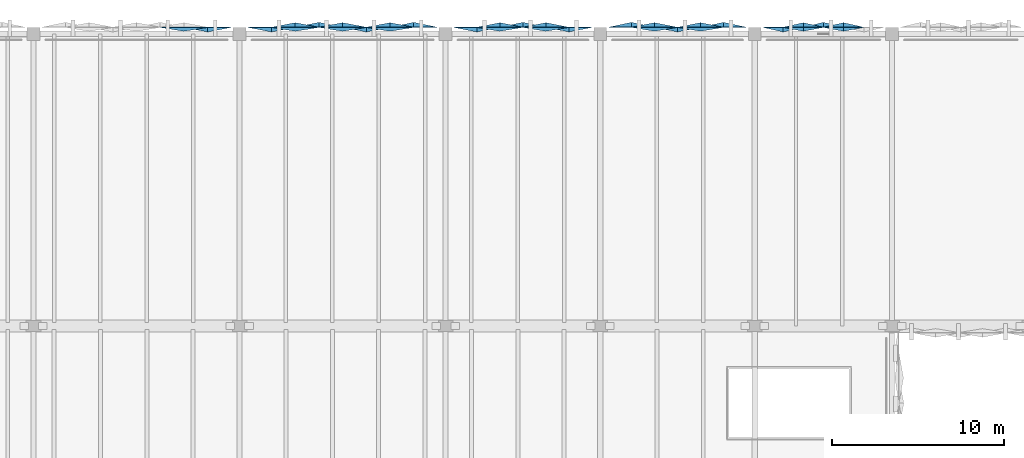
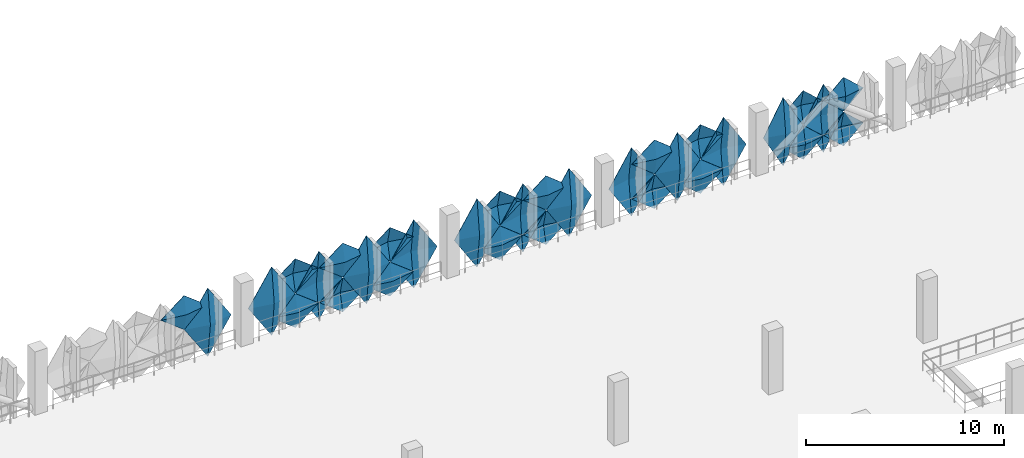
# One storey, part 69 of 83: 32 plates.
"""IFC4 building model written with IfcOpenShell, lengths in metres."""

from ifc_helpers import new_model, si_unit, derived_unit, direction, frame, origin, place, context, subcontext, project, spatial, polygons, material, layer, layer_set, type_object, element, save


model = new_model("IFC4")

# Units and contexts
model_context = context("Model", 3, precision=1e-05, world=origin(), true_north=direction((0.0, 1.0)))
body_context = subcontext(model_context, "Body", "Model", "MODEL_VIEW")
ifc_project = project(units=[si_unit("LENGTHUNIT", "METRE"), si_unit("AREAUNIT", "SQUARE_METRE"), si_unit("VOLUMEUNIT", "CUBIC_METRE"), si_unit("PLANEANGLEUNIT", "RADIAN"), si_unit("MASSUNIT", "GRAM", prefix="KILO"), si_unit("THERMODYNAMICTEMPERATUREUNIT", "KELVIN"), derived_unit("THERMALTRANSMITTANCEUNIT", [(si_unit("POWERUNIT", "WATT"), 1), (si_unit("AREAUNIT", "SQUARE_METRE"), -1), (si_unit("THERMODYNAMICTEMPERATUREUNIT", "KELVIN"), -1)])], contexts=[model_context])

# Site, building, storey
site_placement = place(None, origin())
site = spatial("IfcSite", under=ifc_project, at=site_placement, CompositionType="ELEMENT")
building_placement = place(site_placement, origin())
building = spatial("IfcBuilding", under=site, at=building_placement, Name="Haiyu Intermodal Mobility Hub", CompositionType="ELEMENT")
storey_placement = place(building_placement, frame((0.0, 0.0, 13.39990234375)))
storey = spatial("IfcBuildingStorey", under=building, at=storey_placement, Name="L03", CompositionType="ELEMENT", Elevation=13.39990234375)

# Plates
ifc_material = material(Name="Anodised aluminium 6063-T6", Category="aluminium")
ifc_layer_1 = layer(ifc_material, 0.01806640625)
ifc_layer_set_1 = layer_set([ifc_layer_1], Name="Anodised aluminium 6063-T6")
plate_type_1 = type_object("IfcPlateType", Name="PLT-FC01", PredefinedType="USERDEFINED", material=ifc_layer_set_1)
plate_1_placement = place(storey_placement, origin())
element("IfcPlate", 1, at=plate_1_placement, inside=storey, type_object=plate_type_1, Name="PLT-PYR-0353", ObjectType="FACADE CASSETTE", PredefinedType="USERDEFINED", context=body_context, shape_type="Tessellation", body=[
    polygons([(116.760009765625, 148.39990234375, 1.6201171875), (115.39990234375, 148.39990234375, 2.670166015625), (116.760009765625, 148.39990234375, 3.72021484375), (118.1201171875, 148.39990234375, 2.670166015625), (116.760009765625, 148.659912109375, 2.670166015625), (116.760009765625, 148.3779296875, 1.6201171875), (115.39990234375, 148.3779296875, 2.670166015625), (116.760009765625, 148.3779296875, 3.72021484375), (118.1201171875, 148.3779296875, 2.670166015625), (116.760009765625, 148.637939453125, 2.670166015625)], [[[1, 2, 5]], [[2, 3, 5]], [[3, 4, 5]], [[4, 1, 5]], [[7, 6, 10]], [[8, 7, 10]], [[9, 8, 10]], [[6, 9, 10]], [[1, 6, 7, 2]], [[2, 7, 8, 3]], [[3, 8, 9, 4]], [[4, 9, 6, 1]]], closed=True),
])
plate_2_placement = place(storey_placement, origin())
element("IfcPlate", 2, at=plate_2_placement, inside=storey, type_object=plate_type_1, Name="PLT-PYR-0359", ObjectType="FACADE CASSETTE", PredefinedType="USERDEFINED", context=body_context, shape_type="Tessellation", body=[
    polygons([(111.239990234375, 148.39990234375, 1.6201171875), (109.8798828125, 148.39990234375, 2.670166015625), (111.239990234375, 148.39990234375, 3.72021484375), (112.60009765625, 148.39990234375, 2.670166015625), (111.239990234375, 148.659912109375, 2.670166015625), (111.239990234375, 148.3779296875, 1.6201171875), (109.8798828125, 148.3779296875, 2.670166015625), (111.239990234375, 148.3779296875, 3.72021484375), (112.60009765625, 148.3779296875, 2.670166015625), (111.239990234375, 148.637939453125, 2.670166015625)], [[[1, 2, 5]], [[2, 3, 5]], [[3, 4, 5]], [[4, 1, 5]], [[7, 6, 10]], [[8, 7, 10]], [[9, 8, 10]], [[6, 9, 10]], [[1, 6, 7, 2]], [[2, 7, 8, 3]], [[3, 8, 9, 4]], [[4, 9, 6, 1]]], closed=True),
])
plate_3_placement = place(storey_placement, origin())
element("IfcPlate", 3, at=plate_3_placement, inside=storey, type_object=plate_type_1, Name="PLT-PYR-0398", ObjectType="FACADE CASSETTE", PredefinedType="USERDEFINED", context=body_context, shape_type="Tessellation", body=[
    polygons([(124.5, 148.39990234375, -0.510009765625), (123.179931640625, 148.39990234375, 1.60009765625), (124.5, 148.39990234375, 3.710205078125), (125.820068359375, 148.39990234375, 1.60009765625), (124.5, 148.679931640625, 1.60009765625), (124.5, 148.3779296875, -0.510009765625), (123.179931640625, 148.3779296875, 1.60009765625), (124.5, 148.3779296875, 3.710205078125), (125.820068359375, 148.3779296875, 1.60009765625), (124.5, 148.657958984375, 1.60009765625)], [[[1, 2, 5]], [[2, 3, 5]], [[3, 4, 5]], [[4, 1, 5]], [[7, 6, 10]], [[8, 7, 10]], [[9, 8, 10]], [[6, 9, 10]], [[1, 6, 7, 2]], [[2, 7, 8, 3]], [[3, 8, 9, 4]], [[4, 9, 6, 1]]], closed=True),
])
plate_4_placement = place(storey_placement, origin())
element("IfcPlate", 4, at=plate_4_placement, inside=storey, type_object=plate_type_1, Name="PLT-PYR-0400", ObjectType="FACADE CASSETTE", PredefinedType="USERDEFINED", context=body_context, shape_type="Tessellation", body=[
    polygons([(123.159912109375, 148.39990234375, 1.6201171875), (121.840087890625, 148.39990234375, 2.670166015625), (123.159912109375, 148.39990234375, 3.72021484375), (124.47998046875, 148.39990234375, 2.670166015625), (123.159912109375, 148.659912109375, 2.670166015625), (123.159912109375, 148.3779296875, 1.6201171875), (121.840087890625, 148.3779296875, 2.670166015625), (123.159912109375, 148.3779296875, 3.72021484375), (124.47998046875, 148.3779296875, 2.670166015625), (123.159912109375, 148.637939453125, 2.670166015625)], [[[1, 2, 5]], [[2, 3, 5]], [[3, 4, 5]], [[4, 1, 5]], [[7, 6, 10]], [[8, 7, 10]], [[9, 8, 10]], [[6, 9, 10]], [[1, 6, 7, 2]], [[2, 7, 8, 3]], [[3, 8, 9, 4]], [[4, 9, 6, 1]]], closed=True),
])
plate_5_placement = place(storey_placement, origin())
element("IfcPlate", 5, at=plate_5_placement, inside=storey, type_object=plate_type_1, Name="PLT-PYR-0432", ObjectType="FACADE CASSETTE", PredefinedType="USERDEFINED", context=body_context, shape_type="Tessellation", body=[
    polygons([(134.840087890625, 148.39990234375, 1.6201171875), (133.52001953125, 148.39990234375, 2.670166015625), (134.840087890625, 148.39990234375, 3.72021484375), (136.159912109375, 148.39990234375, 2.670166015625), (134.840087890625, 148.659912109375, 2.670166015625), (134.840087890625, 148.3779296875, 1.6201171875), (133.52001953125, 148.3779296875, 2.670166015625), (134.840087890625, 148.3779296875, 3.72021484375), (136.159912109375, 148.3779296875, 2.670166015625), (134.840087890625, 148.637939453125, 2.670166015625)], [[[1, 2, 5]], [[2, 3, 5]], [[3, 4, 5]], [[4, 1, 5]], [[7, 6, 10]], [[8, 7, 10]], [[9, 8, 10]], [[6, 9, 10]], [[1, 6, 7, 2]], [[2, 7, 8, 3]], [[3, 8, 9, 4]], [[4, 9, 6, 1]]], closed=True),
])
plate_6_placement = place(storey_placement, origin())
element("IfcPlate", 6, at=plate_6_placement, inside=storey, type_object=plate_type_1, Name="PLT-PYR-0468", ObjectType="FACADE CASSETTE", PredefinedType="USERDEFINED", context=body_context, shape_type="Tessellation", body=[
    polygons([(142.0, 148.39990234375, -0.510009765625), (140.846923828125, 148.39990234375, 1.60009765625), (142.0, 148.39990234375, 3.710205078125), (143.153076171875, 148.39990234375, 1.60009765625), (142.0, 148.679931640625, 1.60009765625), (142.0, 148.3779296875, -0.510009765625), (140.846923828125, 148.3779296875, 1.60009765625), (142.0, 148.3779296875, 3.710205078125), (143.153076171875, 148.3779296875, 1.60009765625), (142.0, 148.657958984375, 1.60009765625)], [[[1, 2, 5]], [[2, 3, 5]], [[3, 4, 5]], [[4, 1, 5]], [[7, 6, 10]], [[8, 7, 10]], [[9, 8, 10]], [[6, 9, 10]], [[1, 6, 7, 2]], [[2, 7, 8, 3]], [[3, 8, 9, 4]], [[4, 9, 6, 1]]], closed=True),
])
plate_7_placement = place(storey_placement, origin())
element("IfcPlate", 7, at=plate_7_placement, inside=storey, type_object=plate_type_1, Name="PLT-PYR-0470", ObjectType="FACADE CASSETTE", PredefinedType="USERDEFINED", context=body_context, shape_type="Tessellation", body=[
    polygons([(140.826904296875, 148.39990234375, 1.6201171875), (139.673095703125, 148.39990234375, 2.670166015625), (140.826904296875, 148.39990234375, 3.72021484375), (141.97998046875, 148.39990234375, 2.670166015625), (140.826904296875, 148.659912109375, 2.670166015625), (140.826904296875, 148.3779296875, 1.6201171875), (139.673095703125, 148.3779296875, 2.670166015625), (140.826904296875, 148.3779296875, 3.72021484375), (141.97998046875, 148.3779296875, 2.670166015625), (140.826904296875, 148.637939453125, 2.670166015625)], [[[1, 2, 5]], [[2, 3, 5]], [[3, 4, 5]], [[4, 1, 5]], [[7, 6, 10]], [[8, 7, 10]], [[9, 8, 10]], [[6, 9, 10]], [[1, 6, 7, 2]], [[2, 7, 8, 3]], [[3, 8, 9, 4]], [[4, 9, 6, 1]]], closed=True),
])
ifc_layer_2 = layer(ifc_material, 0.02001953125)
ifc_layer_set_2 = layer_set([ifc_layer_2], Name="Anodised aluminium 6063-T6")
plate_type_2 = type_object("IfcPlateType", Name="PLT-FC02", PredefinedType="USERDEFINED", material=ifc_layer_set_2)
plate_8_placement = place(storey_placement, origin())
element("IfcPlate", 8, at=plate_8_placement, inside=storey, type_object=plate_type_2, Name="PLT-PYR-0303", ObjectType="FACADE CASSETTE", PredefinedType="USERDEFINED", context=body_context, shape_type="Tessellation", body=[
    polygons([(104.760009765625, 148.39990234375, 1.6201171875), (103.39990234375, 148.39990234375, 2.670166015625), (104.760009765625, 148.39990234375, 3.72021484375), (106.1201171875, 148.39990234375, 2.670166015625), (104.760009765625, 148.179931640625, 2.670166015625), (104.760009765625, 148.3779296875, 1.6201171875), (103.39990234375, 148.3779296875, 2.670166015625), (104.760009765625, 148.3779296875, 3.72021484375), (106.1201171875, 148.3779296875, 2.670166015625), (104.760009765625, 148.157958984375, 2.670166015625)], [[[1, 2, 5]], [[2, 3, 5]], [[3, 4, 5]], [[4, 1, 5]], [[7, 6, 10]], [[8, 7, 10]], [[9, 8, 10]], [[6, 9, 10]], [[1, 6, 7, 2]], [[2, 7, 8, 3]], [[3, 8, 9, 4]], [[4, 9, 6, 1]]], closed=True),
])
plate_9_placement = place(storey_placement, origin())
element("IfcPlate", 9, at=plate_9_placement, inside=storey, type_object=plate_type_2, Name="PLT-PYR-0354", ObjectType="FACADE CASSETTE", PredefinedType="USERDEFINED", context=body_context, shape_type="Tessellation", body=[
    polygons([(115.3798828125, 148.39990234375, -0.510009765625), (114.02001953125, 148.39990234375, 1.60009765625), (115.3798828125, 148.39990234375, 3.710205078125), (116.739990234375, 148.39990234375, 1.60009765625), (115.3798828125, 148.139892578125, 1.60009765625), (115.3798828125, 148.3779296875, -0.510009765625), (114.02001953125, 148.3779296875, 1.60009765625), (115.3798828125, 148.3779296875, 3.710205078125), (116.739990234375, 148.3779296875, 1.60009765625), (115.3798828125, 148.117919921875, 1.60009765625)], [[[1, 2, 5]], [[2, 3, 5]], [[3, 4, 5]], [[4, 1, 5]], [[7, 6, 10]], [[8, 7, 10]], [[9, 8, 10]], [[6, 9, 10]], [[1, 6, 7, 2]], [[2, 7, 8, 3]], [[3, 8, 9, 4]], [[4, 9, 6, 1]]], closed=True),
])
plate_10_placement = place(storey_placement, origin())
element("IfcPlate", 10, at=plate_10_placement, inside=storey, type_object=plate_type_2, Name="PLT-PYR-0356", ObjectType="FACADE CASSETTE", PredefinedType="USERDEFINED", context=body_context, shape_type="Tessellation", body=[
    polygons([(114.0, 148.39990234375, 1.6201171875), (112.639892578125, 148.39990234375, 2.670166015625), (114.0, 148.39990234375, 3.72021484375), (115.360107421875, 148.39990234375, 2.670166015625), (114.0, 148.179931640625, 2.670166015625), (114.0, 148.3779296875, 1.6201171875), (112.639892578125, 148.3779296875, 2.670166015625), (114.0, 148.3779296875, 3.72021484375), (115.360107421875, 148.3779296875, 2.670166015625), (114.0, 148.157958984375, 2.670166015625)], [[[1, 2, 5]], [[2, 3, 5]], [[3, 4, 5]], [[4, 1, 5]], [[7, 6, 10]], [[8, 7, 10]], [[9, 8, 10]], [[6, 9, 10]], [[1, 6, 7, 2]], [[2, 7, 8, 3]], [[3, 8, 9, 4]], [[4, 9, 6, 1]]], closed=True),
])
plate_11_placement = place(storey_placement, origin())
element("IfcPlate", 11, at=plate_11_placement, inside=storey, type_object=plate_type_2, Name="PLT-PYR-0397", ObjectType="FACADE CASSETTE", PredefinedType="USERDEFINED", context=body_context, shape_type="Tessellation", body=[
    polygons([(125.840087890625, 148.39990234375, 1.6201171875), (124.52001953125, 148.39990234375, 2.670166015625), (125.840087890625, 148.39990234375, 3.72021484375), (127.159912109375, 148.39990234375, 2.670166015625), (125.840087890625, 148.179931640625, 2.670166015625), (125.840087890625, 148.3779296875, 1.6201171875), (124.52001953125, 148.3779296875, 2.670166015625), (125.840087890625, 148.3779296875, 3.72021484375), (127.159912109375, 148.3779296875, 2.670166015625), (125.840087890625, 148.157958984375, 2.670166015625)], [[[1, 2, 5]], [[2, 3, 5]], [[3, 4, 5]], [[4, 1, 5]], [[7, 6, 10]], [[8, 7, 10]], [[9, 8, 10]], [[6, 9, 10]], [[1, 6, 7, 2]], [[2, 7, 8, 3]], [[3, 8, 9, 4]], [[4, 9, 6, 1]]], closed=True),
])
plate_12_placement = place(storey_placement, origin())
element("IfcPlate", 12, at=plate_12_placement, inside=storey, type_object=plate_type_2, Name="PLT-PYR-0433", ObjectType="FACADE CASSETTE", PredefinedType="USERDEFINED", context=body_context, shape_type="Tessellation", body=[
    polygons([(133.5, 148.39990234375, -0.510009765625), (132.179931640625, 148.39990234375, 1.60009765625), (133.5, 148.39990234375, 3.710205078125), (134.820068359375, 148.39990234375, 1.60009765625), (133.5, 148.139892578125, 1.60009765625), (133.5, 148.3779296875, -0.510009765625), (132.179931640625, 148.3779296875, 1.60009765625), (133.5, 148.3779296875, 3.710205078125), (134.820068359375, 148.3779296875, 1.60009765625), (133.5, 148.117919921875, 1.60009765625)], [[[1, 2, 5]], [[2, 3, 5]], [[3, 4, 5]], [[4, 1, 5]], [[7, 6, 10]], [[8, 7, 10]], [[9, 8, 10]], [[6, 9, 10]], [[1, 6, 7, 2]], [[2, 7, 8, 3]], [[3, 8, 9, 4]], [[4, 9, 6, 1]]], closed=True),
])
plate_13_placement = place(storey_placement, origin())
element("IfcPlate", 13, at=plate_13_placement, inside=storey, type_object=plate_type_2, Name="PLT-PYR-0435", ObjectType="FACADE CASSETTE", PredefinedType="USERDEFINED", context=body_context, shape_type="Tessellation", body=[
    polygons([(132.159912109375, 148.39990234375, 1.6201171875), (130.840087890625, 148.39990234375, 2.670166015625), (132.159912109375, 148.39990234375, 3.72021484375), (133.47998046875, 148.39990234375, 2.670166015625), (132.159912109375, 148.179931640625, 2.670166015625), (132.159912109375, 148.3779296875, 1.6201171875), (130.840087890625, 148.3779296875, 2.670166015625), (132.159912109375, 148.3779296875, 3.72021484375), (133.47998046875, 148.3779296875, 2.670166015625), (132.159912109375, 148.157958984375, 2.670166015625)], [[[1, 2, 5]], [[2, 3, 5]], [[3, 4, 5]], [[4, 1, 5]], [[7, 6, 10]], [[8, 7, 10]], [[9, 8, 10]], [[6, 9, 10]], [[1, 6, 7, 2]], [[2, 7, 8, 3]], [[3, 8, 9, 4]], [[4, 9, 6, 1]]], closed=True),
])
plate_14_placement = place(storey_placement, origin())
element("IfcPlate", 14, at=plate_14_placement, inside=storey, type_object=plate_type_2, Name="PLT-PYR-0467", ObjectType="FACADE CASSETTE", PredefinedType="USERDEFINED", context=body_context, shape_type="Tessellation", body=[
    polygons([(143.173095703125, 148.39990234375, 1.6201171875), (142.02001953125, 148.39990234375, 2.670166015625), (143.173095703125, 148.39990234375, 3.72021484375), (144.326904296875, 148.39990234375, 2.670166015625), (143.173095703125, 148.179931640625, 2.670166015625), (143.173095703125, 148.3779296875, 1.6201171875), (142.02001953125, 148.3779296875, 2.670166015625), (143.173095703125, 148.3779296875, 3.72021484375), (144.326904296875, 148.3779296875, 2.670166015625), (143.173095703125, 148.157958984375, 2.670166015625)], [[[1, 2, 5]], [[2, 3, 5]], [[3, 4, 5]], [[4, 1, 5]], [[7, 6, 10]], [[8, 7, 10]], [[9, 8, 10]], [[6, 9, 10]], [[1, 6, 7, 2]], [[2, 7, 8, 3]], [[3, 8, 9, 4]], [[4, 9, 6, 1]]], closed=True),
])
ifc_layer_3 = layer(ifc_material, 0.01806640625)
ifc_layer_set_3 = layer_set([ifc_layer_3], Name="Anodised aluminium 6063-T6")
plate_type_3 = type_object("IfcPlateType", Name="PLT-FC03", PredefinedType="USERDEFINED", material=ifc_layer_set_3)
plate_15_placement = place(storey_placement, origin())
element("IfcPlate", 15, at=plate_15_placement, inside=storey, type_object=plate_type_3, Name="PLT-PYR-0357", ObjectType="FACADE CASSETTE", PredefinedType="USERDEFINED", context=body_context, shape_type="Tessellation", body=[
    polygons([(112.6201171875, 148.39990234375, -0.510009765625), (111.260009765625, 148.39990234375, 1.60009765625), (112.6201171875, 148.39990234375, 3.710205078125), (113.97998046875, 148.39990234375, 1.60009765625), (112.6201171875, 148.679931640625, 1.60009765625), (112.6201171875, 148.3779296875, -0.510009765625), (111.260009765625, 148.3779296875, 1.60009765625), (112.6201171875, 148.3779296875, 3.710205078125), (113.97998046875, 148.3779296875, 1.60009765625), (112.6201171875, 148.657958984375, 1.60009765625)], [[[1, 2, 5]], [[2, 3, 5]], [[3, 4, 5]], [[4, 1, 5]], [[7, 6, 10]], [[8, 7, 10]], [[9, 8, 10]], [[6, 9, 10]], [[1, 6, 7, 2]], [[2, 7, 8, 3]], [[3, 8, 9, 4]], [[4, 9, 6, 1]]], closed=True),
])
plate_16_placement = place(storey_placement, origin())
element("IfcPlate", 16, at=plate_16_placement, inside=storey, type_object=plate_type_3, Name="PLT-PYR-0436", ObjectType="FACADE CASSETTE", PredefinedType="USERDEFINED", context=body_context, shape_type="Tessellation", body=[
    polygons([(130.820068359375, 148.39990234375, -0.510009765625), (129.5, 148.39990234375, 1.60009765625), (130.820068359375, 148.39990234375, 3.710205078125), (132.139892578125, 148.39990234375, 1.60009765625), (130.820068359375, 148.679931640625, 1.60009765625), (130.820068359375, 148.3779296875, -0.510009765625), (129.5, 148.3779296875, 1.60009765625), (130.820068359375, 148.3779296875, 3.710205078125), (132.139892578125, 148.3779296875, 1.60009765625), (130.820068359375, 148.657958984375, 1.60009765625)], [[[1, 2, 5]], [[2, 3, 5]], [[3, 4, 5]], [[4, 1, 5]], [[7, 6, 10]], [[8, 7, 10]], [[9, 8, 10]], [[6, 9, 10]], [[1, 6, 7, 2]], [[2, 7, 8, 3]], [[3, 8, 9, 4]], [[4, 9, 6, 1]]], closed=True),
])
ifc_layer_4 = layer(ifc_material, 0.02001953125)
ifc_layer_set_4 = layer_set([ifc_layer_4], Name="Anodised aluminium 6063-T6")
plate_type_4 = type_object("IfcPlateType", Name="PLT-FC04", PredefinedType="USERDEFINED", material=ifc_layer_set_4)
plate_17_placement = place(storey_placement, origin())
element("IfcPlate", 17, at=plate_17_placement, inside=storey, type_object=plate_type_4, Name="PLT-PYR-0401", ObjectType="FACADE CASSETTE", PredefinedType="USERDEFINED", context=body_context, shape_type="Tessellation", body=[
    polygons([(121.820068359375, 148.39990234375, -0.510009765625), (120.5, 148.39990234375, 1.60009765625), (121.820068359375, 148.39990234375, 3.710205078125), (123.139892578125, 148.39990234375, 1.60009765625), (121.820068359375, 148.139892578125, 1.60009765625), (121.820068359375, 148.3779296875, -0.510009765625), (120.5, 148.3779296875, 1.60009765625), (121.820068359375, 148.3779296875, 3.710205078125), (123.139892578125, 148.3779296875, 1.60009765625), (121.820068359375, 148.117919921875, 1.60009765625)], [[[1, 2, 5]], [[2, 3, 5]], [[3, 4, 5]], [[4, 1, 5]], [[7, 6, 10]], [[8, 7, 10]], [[9, 8, 10]], [[6, 9, 10]], [[1, 6, 7, 2]], [[2, 7, 8, 3]], [[3, 8, 9, 4]], [[4, 9, 6, 1]]], closed=True),
])
plate_18_placement = place(storey_placement, origin())
element("IfcPlate", 18, at=plate_18_placement, inside=storey, type_object=plate_type_4, Name="PLT-PYR-0471", ObjectType="FACADE CASSETTE", PredefinedType="USERDEFINED", context=body_context, shape_type="Tessellation", body=[
    polygons([(139.653076171875, 148.39990234375, -0.510009765625), (138.5, 148.39990234375, 1.60009765625), (139.653076171875, 148.39990234375, 3.710205078125), (140.806884765625, 148.39990234375, 1.60009765625), (139.653076171875, 148.139892578125, 1.60009765625), (139.653076171875, 148.3779296875, -0.510009765625), (138.5, 148.3779296875, 1.60009765625), (139.653076171875, 148.3779296875, 3.710205078125), (140.806884765625, 148.3779296875, 1.60009765625), (139.653076171875, 148.117919921875, 1.60009765625)], [[[1, 2, 5]], [[2, 3, 5]], [[3, 4, 5]], [[4, 1, 5]], [[7, 6, 10]], [[8, 7, 10]], [[9, 8, 10]], [[6, 9, 10]], [[1, 6, 7, 2]], [[2, 7, 8, 3]], [[3, 8, 9, 4]], [[4, 9, 6, 1]]], closed=True),
])
ifc_layer_5 = layer(ifc_material, 0.02001953125)
ifc_layer_set_5 = layer_set([ifc_layer_5], Name="Anodised aluminium 6063-T6")
plate_type_5 = type_object("IfcPlateType", Name="PLT-FC06", PredefinedType="USERDEFINED", material=ifc_layer_set_5)
plate_19_placement = place(storey_placement, origin())
element("IfcPlate", 19, at=plate_19_placement, inside=storey, type_object=plate_type_5, Name="PLT-PYR-0360", ObjectType="FACADE CASSETTE", PredefinedType="USERDEFINED", context=body_context, shape_type="Tessellation", body=[
    polygons([(109.860107421875, 148.39990234375, -0.510009765625), (108.5, 148.39990234375, 1.60009765625), (109.860107421875, 148.39990234375, 3.710205078125), (111.219970703125, 148.39990234375, 1.60009765625), (109.860107421875, 148.139892578125, 1.60009765625), (109.860107421875, 148.3779296875, -0.510009765625), (108.5, 148.3779296875, 1.60009765625), (109.860107421875, 148.3779296875, 3.710205078125), (111.219970703125, 148.3779296875, 1.60009765625), (109.860107421875, 148.117919921875, 1.60009765625)], [[[1, 2, 5]], [[2, 3, 5]], [[3, 4, 5]], [[4, 1, 5]], [[7, 6, 10]], [[8, 7, 10]], [[9, 8, 10]], [[6, 9, 10]], [[1, 6, 7, 2]], [[2, 7, 8, 3]], [[3, 8, 9, 4]], [[4, 9, 6, 1]]], closed=True),
])
ifc_layer_6 = layer(ifc_material, 0.02197265625)
ifc_layer_set_6 = layer_set([ifc_layer_6], Name="Anodised aluminium 6063-T6")
plate_type_6 = type_object("IfcPlateType", Name="PLT-FC07", PredefinedType="USERDEFINED", material=ifc_layer_set_6)
plate_20_placement = place(storey_placement, origin())
element("IfcPlate", 20, at=plate_20_placement, inside=storey, type_object=plate_type_6, Name="PLT-PYR-0351", ObjectType="FACADE CASSETTE", PredefinedType="USERDEFINED", context=body_context, shape_type="Tessellation", body=[
    polygons([(118.139892578125, 148.39990234375, -0.510009765625), (116.780029296875, 148.39990234375, 1.60009765625), (118.139892578125, 148.39990234375, 3.710205078125), (119.5, 148.39990234375, 1.60009765625), (118.139892578125, 148.679931640625, 1.60009765625), (118.139892578125, 148.3779296875, -0.510009765625), (116.780029296875, 148.3779296875, 1.60009765625), (118.139892578125, 148.3779296875, 3.710205078125), (119.5, 148.3779296875, 1.60009765625), (118.139892578125, 148.657958984375, 1.60009765625)], [[[1, 2, 5]], [[2, 3, 5]], [[3, 4, 5]], [[4, 1, 5]], [[7, 6, 10]], [[8, 7, 10]], [[9, 8, 10]], [[6, 9, 10]], [[1, 6, 7, 2]], [[2, 7, 8, 3]], [[3, 8, 9, 4]], [[4, 9, 6, 1]]], closed=True),
])
plate_21_placement = place(storey_placement, origin())
element("IfcPlate", 21, at=plate_21_placement, inside=storey, type_object=plate_type_6, Name="PLT-PYR-0355", ObjectType="FACADE CASSETTE", PredefinedType="USERDEFINED", context=body_context, shape_type="Tessellation", body=[
    polygons([(114.0, 148.39990234375, -0.52001953125), (112.639892578125, 148.39990234375, 0.530029296875), (114.0, 148.39990234375, 1.580078125), (115.360107421875, 148.39990234375, 0.530029296875), (114.0, 148.659912109375, 0.530029296875), (114.0, 148.3779296875, -0.52001953125), (112.639892578125, 148.3779296875, 0.530029296875), (114.0, 148.3779296875, 1.580078125), (115.360107421875, 148.3779296875, 0.530029296875), (114.0, 148.637939453125, 0.530029296875)], [[[1, 2, 5]], [[2, 3, 5]], [[3, 4, 5]], [[4, 1, 5]], [[7, 6, 10]], [[8, 7, 10]], [[9, 8, 10]], [[6, 9, 10]], [[1, 6, 7, 2]], [[2, 7, 8, 3]], [[3, 8, 9, 4]], [[4, 9, 6, 1]]], closed=True),
])
plate_22_placement = place(storey_placement, origin())
element("IfcPlate", 22, at=plate_22_placement, inside=storey, type_object=plate_type_6, Name="PLT-PYR-0396", ObjectType="FACADE CASSETTE", PredefinedType="USERDEFINED", context=body_context, shape_type="Tessellation", body=[
    polygons([(125.840087890625, 148.39990234375, -0.52001953125), (124.52001953125, 148.39990234375, 0.530029296875), (125.840087890625, 148.39990234375, 1.580078125), (127.159912109375, 148.39990234375, 0.530029296875), (125.840087890625, 148.659912109375, 0.530029296875), (125.840087890625, 148.3779296875, -0.52001953125), (124.52001953125, 148.3779296875, 0.530029296875), (125.840087890625, 148.3779296875, 1.580078125), (127.159912109375, 148.3779296875, 0.530029296875), (125.840087890625, 148.637939453125, 0.530029296875)], [[[1, 2, 5]], [[2, 3, 5]], [[3, 4, 5]], [[4, 1, 5]], [[7, 6, 10]], [[8, 7, 10]], [[9, 8, 10]], [[6, 9, 10]], [[1, 6, 7, 2]], [[2, 7, 8, 3]], [[3, 8, 9, 4]], [[4, 9, 6, 1]]], closed=True),
])
plate_23_placement = place(storey_placement, origin())
element("IfcPlate", 23, at=plate_23_placement, inside=storey, type_object=plate_type_6, Name="PLT-PYR-0430", ObjectType="FACADE CASSETTE", PredefinedType="USERDEFINED", context=body_context, shape_type="Tessellation", body=[
    polygons([(136.179931640625, 148.39990234375, -0.510009765625), (134.860107421875, 148.39990234375, 1.60009765625), (136.179931640625, 148.39990234375, 3.710205078125), (137.5, 148.39990234375, 1.60009765625), (136.179931640625, 148.679931640625, 1.60009765625), (136.179931640625, 148.3779296875, -0.510009765625), (134.860107421875, 148.3779296875, 1.60009765625), (136.179931640625, 148.3779296875, 3.710205078125), (137.5, 148.3779296875, 1.60009765625), (136.179931640625, 148.657958984375, 1.60009765625)], [[[1, 2, 5]], [[2, 3, 5]], [[3, 4, 5]], [[4, 1, 5]], [[7, 6, 10]], [[8, 7, 10]], [[9, 8, 10]], [[6, 9, 10]], [[1, 6, 7, 2]], [[2, 7, 8, 3]], [[3, 8, 9, 4]], [[4, 9, 6, 1]]], closed=True),
])
plate_24_placement = place(storey_placement, origin())
element("IfcPlate", 24, at=plate_24_placement, inside=storey, type_object=plate_type_6, Name="PLT-PYR-0434", ObjectType="FACADE CASSETTE", PredefinedType="USERDEFINED", context=body_context, shape_type="Tessellation", body=[
    polygons([(132.159912109375, 148.39990234375, -0.52001953125), (130.840087890625, 148.39990234375, 0.530029296875), (132.159912109375, 148.39990234375, 1.580078125), (133.47998046875, 148.39990234375, 0.530029296875), (132.159912109375, 148.659912109375, 0.530029296875), (132.159912109375, 148.3779296875, -0.52001953125), (130.840087890625, 148.3779296875, 0.530029296875), (132.159912109375, 148.3779296875, 1.580078125), (133.47998046875, 148.3779296875, 0.530029296875), (132.159912109375, 148.637939453125, 0.530029296875)], [[[1, 2, 5]], [[2, 3, 5]], [[3, 4, 5]], [[4, 1, 5]], [[7, 6, 10]], [[8, 7, 10]], [[9, 8, 10]], [[6, 9, 10]], [[1, 6, 7, 2]], [[2, 7, 8, 3]], [[3, 8, 9, 4]], [[4, 9, 6, 1]]], closed=True),
])
plate_25_placement = place(storey_placement, origin())
element("IfcPlate", 25, at=plate_25_placement, inside=storey, type_object=plate_type_6, Name="PLT-PYR-0466", ObjectType="FACADE CASSETTE", PredefinedType="USERDEFINED", context=body_context, shape_type="Tessellation", body=[
    polygons([(143.173095703125, 148.39990234375, -0.52001953125), (142.02001953125, 148.39990234375, 0.530029296875), (143.173095703125, 148.39990234375, 1.580078125), (144.326904296875, 148.39990234375, 0.530029296875), (143.173095703125, 148.659912109375, 0.530029296875), (143.173095703125, 148.3779296875, -0.52001953125), (142.02001953125, 148.3779296875, 0.530029296875), (143.173095703125, 148.3779296875, 1.580078125), (144.326904296875, 148.3779296875, 0.530029296875), (143.173095703125, 148.637939453125, 0.530029296875)], [[[1, 2, 5]], [[2, 3, 5]], [[3, 4, 5]], [[4, 1, 5]], [[7, 6, 10]], [[8, 7, 10]], [[9, 8, 10]], [[6, 9, 10]], [[1, 6, 7, 2]], [[2, 7, 8, 3]], [[3, 8, 9, 4]], [[4, 9, 6, 1]]], closed=True),
])
ifc_layer_7 = layer(ifc_material, 0.02392578125)
ifc_layer_set_7 = layer_set([ifc_layer_7], Name="Anodised aluminium 6063-T6")
plate_type_7 = type_object("IfcPlateType", Name="PLT-FC08", PredefinedType="USERDEFINED", material=ifc_layer_set_7)
plate_26_placement = place(storey_placement, origin())
element("IfcPlate", 26, at=plate_26_placement, inside=storey, type_object=plate_type_7, Name="PLT-PYR-0301", ObjectType="FACADE CASSETTE", PredefinedType="USERDEFINED", context=body_context, shape_type="Tessellation", body=[
    polygons([(106.139892578125, 148.39990234375, -0.510009765625), (104.780029296875, 148.39990234375, 1.60009765625), (106.139892578125, 148.39990234375, 3.710205078125), (107.5, 148.39990234375, 1.60009765625), (106.139892578125, 148.139892578125, 1.60009765625), (106.139892578125, 148.3779296875, -0.510009765625), (104.780029296875, 148.3779296875, 1.60009765625), (106.139892578125, 148.3779296875, 3.710205078125), (107.5, 148.3779296875, 1.60009765625), (106.139892578125, 148.117919921875, 1.60009765625)], [[[1, 2, 5]], [[2, 3, 5]], [[3, 4, 5]], [[4, 1, 5]], [[7, 6, 10]], [[8, 7, 10]], [[9, 8, 10]], [[6, 9, 10]], [[1, 6, 7, 2]], [[2, 7, 8, 3]], [[3, 8, 9, 4]], [[4, 9, 6, 1]]], closed=True),
])
plate_27_placement = place(storey_placement, origin())
element("IfcPlate", 27, at=plate_27_placement, inside=storey, type_object=plate_type_7, Name="PLT-PYR-0352", ObjectType="FACADE CASSETTE", PredefinedType="USERDEFINED", context=body_context, shape_type="Tessellation", body=[
    polygons([(116.760009765625, 148.39990234375, -0.52001953125), (115.39990234375, 148.39990234375, 0.530029296875), (116.760009765625, 148.39990234375, 1.580078125), (118.1201171875, 148.39990234375, 0.530029296875), (116.760009765625, 148.179931640625, 0.530029296875), (116.760009765625, 148.3779296875, -0.52001953125), (115.39990234375, 148.3779296875, 0.530029296875), (116.760009765625, 148.3779296875, 1.580078125), (118.1201171875, 148.3779296875, 0.530029296875), (116.760009765625, 148.157958984375, 0.530029296875)], [[[1, 2, 5]], [[2, 3, 5]], [[3, 4, 5]], [[4, 1, 5]], [[7, 6, 10]], [[8, 7, 10]], [[9, 8, 10]], [[6, 9, 10]], [[1, 6, 7, 2]], [[2, 7, 8, 3]], [[3, 8, 9, 4]], [[4, 9, 6, 1]]], closed=True),
])
plate_28_placement = place(storey_placement, origin())
element("IfcPlate", 28, at=plate_28_placement, inside=storey, type_object=plate_type_7, Name="PLT-PYR-0358", ObjectType="FACADE CASSETTE", PredefinedType="USERDEFINED", context=body_context, shape_type="Tessellation", body=[
    polygons([(111.239990234375, 148.39990234375, -0.52001953125), (109.8798828125, 148.39990234375, 0.530029296875), (111.239990234375, 148.39990234375, 1.580078125), (112.60009765625, 148.39990234375, 0.530029296875), (111.239990234375, 148.179931640625, 0.530029296875), (111.239990234375, 148.3779296875, -0.52001953125), (109.8798828125, 148.3779296875, 0.530029296875), (111.239990234375, 148.3779296875, 1.580078125), (112.60009765625, 148.3779296875, 0.530029296875), (111.239990234375, 148.157958984375, 0.530029296875)], [[[1, 2, 5]], [[2, 3, 5]], [[3, 4, 5]], [[4, 1, 5]], [[7, 6, 10]], [[8, 7, 10]], [[9, 8, 10]], [[6, 9, 10]], [[1, 6, 7, 2]], [[2, 7, 8, 3]], [[3, 8, 9, 4]], [[4, 9, 6, 1]]], closed=True),
])
plate_29_placement = place(storey_placement, origin())
element("IfcPlate", 29, at=plate_29_placement, inside=storey, type_object=plate_type_7, Name="PLT-PYR-0395", ObjectType="FACADE CASSETTE", PredefinedType="USERDEFINED", context=body_context, shape_type="Tessellation", body=[
    polygons([(127.179931640625, 148.39990234375, -0.510009765625), (125.860107421875, 148.39990234375, 1.60009765625), (127.179931640625, 148.39990234375, 3.710205078125), (128.5, 148.39990234375, 1.60009765625), (127.179931640625, 148.139892578125, 1.60009765625), (127.179931640625, 148.3779296875, -0.510009765625), (125.860107421875, 148.3779296875, 1.60009765625), (127.179931640625, 148.3779296875, 3.710205078125), (128.5, 148.3779296875, 1.60009765625), (127.179931640625, 148.117919921875, 1.60009765625)], [[[1, 2, 5]], [[2, 3, 5]], [[3, 4, 5]], [[4, 1, 5]], [[7, 6, 10]], [[8, 7, 10]], [[9, 8, 10]], [[6, 9, 10]], [[1, 6, 7, 2]], [[2, 7, 8, 3]], [[3, 8, 9, 4]], [[4, 9, 6, 1]]], closed=True),
])
plate_30_placement = place(storey_placement, origin())
element("IfcPlate", 30, at=plate_30_placement, inside=storey, type_object=plate_type_7, Name="PLT-PYR-0399", ObjectType="FACADE CASSETTE", PredefinedType="USERDEFINED", context=body_context, shape_type="Tessellation", body=[
    polygons([(123.159912109375, 148.39990234375, -0.52001953125), (121.840087890625, 148.39990234375, 0.530029296875), (123.159912109375, 148.39990234375, 1.580078125), (124.47998046875, 148.39990234375, 0.530029296875), (123.159912109375, 148.179931640625, 0.530029296875), (123.159912109375, 148.3779296875, -0.52001953125), (121.840087890625, 148.3779296875, 0.530029296875), (123.159912109375, 148.3779296875, 1.580078125), (124.47998046875, 148.3779296875, 0.530029296875), (123.159912109375, 148.157958984375, 0.530029296875)], [[[1, 2, 5]], [[2, 3, 5]], [[3, 4, 5]], [[4, 1, 5]], [[7, 6, 10]], [[8, 7, 10]], [[9, 8, 10]], [[6, 9, 10]], [[1, 6, 7, 2]], [[2, 7, 8, 3]], [[3, 8, 9, 4]], [[4, 9, 6, 1]]], closed=True),
])
plate_31_placement = place(storey_placement, origin())
element("IfcPlate", 31, at=plate_31_placement, inside=storey, type_object=plate_type_7, Name="PLT-PYR-0431", ObjectType="FACADE CASSETTE", PredefinedType="USERDEFINED", context=body_context, shape_type="Tessellation", body=[
    polygons([(134.840087890625, 148.39990234375, -0.52001953125), (133.52001953125, 148.39990234375, 0.530029296875), (134.840087890625, 148.39990234375, 1.580078125), (136.159912109375, 148.39990234375, 0.530029296875), (134.840087890625, 148.179931640625, 0.530029296875), (134.840087890625, 148.3779296875, -0.52001953125), (133.52001953125, 148.3779296875, 0.530029296875), (134.840087890625, 148.3779296875, 1.580078125), (136.159912109375, 148.3779296875, 0.530029296875), (134.840087890625, 148.157958984375, 0.530029296875)], [[[1, 2, 5]], [[2, 3, 5]], [[3, 4, 5]], [[4, 1, 5]], [[7, 6, 10]], [[8, 7, 10]], [[9, 8, 10]], [[6, 9, 10]], [[1, 6, 7, 2]], [[2, 7, 8, 3]], [[3, 8, 9, 4]], [[4, 9, 6, 1]]], closed=True),
])
plate_32_placement = place(storey_placement, origin())
element("IfcPlate", 32, at=plate_32_placement, inside=storey, type_object=plate_type_7, Name="PLT-PYR-0469", ObjectType="FACADE CASSETTE", PredefinedType="USERDEFINED", context=body_context, shape_type="Tessellation", body=[
    polygons([(140.826904296875, 148.39990234375, -0.52001953125), (139.673095703125, 148.39990234375, 0.530029296875), (140.826904296875, 148.39990234375, 1.580078125), (141.97998046875, 148.39990234375, 0.530029296875), (140.826904296875, 148.179931640625, 0.530029296875), (140.826904296875, 148.3779296875, -0.52001953125), (139.673095703125, 148.3779296875, 0.530029296875), (140.826904296875, 148.3779296875, 1.580078125), (141.97998046875, 148.3779296875, 0.530029296875), (140.826904296875, 148.157958984375, 0.530029296875)], [[[1, 2, 5]], [[2, 3, 5]], [[3, 4, 5]], [[4, 1, 5]], [[7, 6, 10]], [[8, 7, 10]], [[9, 8, 10]], [[6, 9, 10]], [[1, 6, 7, 2]], [[2, 7, 8, 3]], [[3, 8, 9, 4]], [[4, 9, 6, 1]]], closed=True),
])

save(model, "model.ifc")
